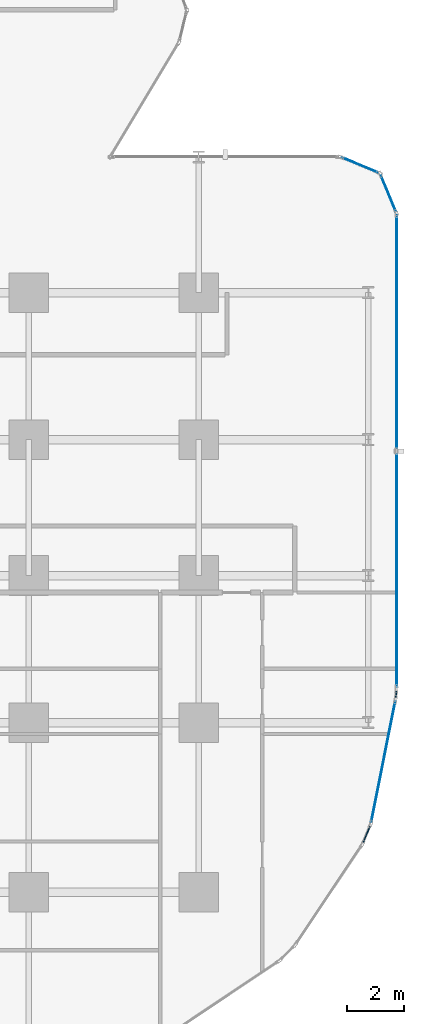
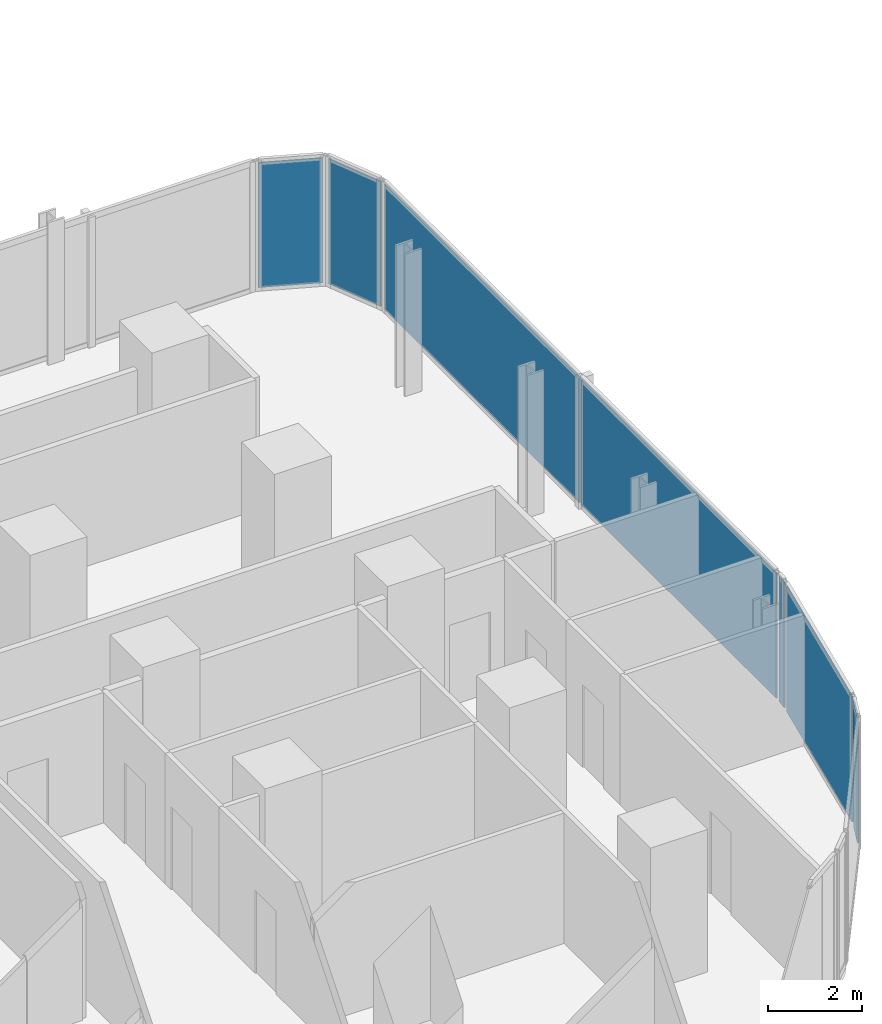
# One storey, part 25 of 34: 7 plates, 6 elements without a shape of their own.
"""IFC4 building model written with IfcOpenShell, lengths in metres."""

import ifcopenshell
import ifcopenshell.guid

model = None  # the IFC model being written
_history = None  # IfcOwnerHistory: only IFC2X3 demands one
_inside = {}  # id of a spatial element -> (the spatial element, [elements in it])
_under = {}  # id of a project, library or spatial element -> (it, [spatial elements below it])
_declared = {}  # id of a project -> (the project, [libraries it declares])
_typed = {}  # id of a type object -> (the type object, [elements of that type])
_made_of = {}  # id of a material, layer set ... -> (it, [elements and type objects made of it])


def new_model(schema):
    """Start an empty IFC model of exactly this schema.

    Asked for "IFC4X3", IfcOpenShell would pick the latest addendum, in which some entities
    have other attributes; the version numbers below select the first issue.
    IFC2X3 requires an IfcOwnerHistory on every rooted entity: one is made here for all.
    """
    global model, _history
    if schema == "IFC4X3":
        model = ifcopenshell.file(schema_version=(4, 3, 0, 0))
    else:
        model = ifcopenshell.file(schema=schema)
    _inside.clear()
    _under.clear()
    _declared.clear()
    _typed.clear()
    _made_of.clear()
    _history = None
    if model.schema == "IFC2X3":
        org = make("IfcOrganization", Name="unknown")
        user = make(
            "IfcPersonAndOrganization",
            ThePerson=make("IfcPerson", FamilyName="unknown"),
            TheOrganization=org,
        )
        app = make(
            "IfcApplication",
            ApplicationDeveloper=org,
            Version="unknown",
            ApplicationFullName="unknown",
            ApplicationIdentifier="unknown",
        )
        _history = make(
            "IfcOwnerHistory",
            OwningUser=user,
            OwningApplication=app,
            ChangeAction="ADDED",
            CreationDate=0,
        )
    return model


def make(cls, **values):
    """One entity of the class cls with the attributes given. An attribute that is None is left unset."""
    return model.create_entity(
        cls, **{name: value for name, value in values.items() if value is not None}
    )


def rooted(cls, **values):
    """An entity with a GlobalId (a new one), such as an element, a storey or a relation."""
    return make(cls, GlobalId=ifcopenshell.guid.new(), OwnerHistory=_history, **values)


def si_unit(unit_type, name, prefix=None):
    """IfcSIUnit, for example si_unit("LENGTHUNIT", "METRE", prefix="MILLI")."""
    return make("IfcSIUnit", UnitType=unit_type, Prefix=prefix, Name=name)


def assignment(units):
    """IfcUnitAssignment: the units of a project."""
    return None if units is None else make("IfcUnitAssignment", Units=units)


def point(xyz):
    """IfcCartesianPoint."""
    return None if xyz is None else make("IfcCartesianPoint", Coordinates=xyz)


def direction(xyz):
    """IfcDirection."""
    return None if xyz is None else make("IfcDirection", DirectionRatios=xyz)


def frame(location, z_axis=None, x_axis=None):
    """IfcAxis2Placement3D, a coordinate frame: its origin and axes. An axis left out is left unset."""
    return make(
        "IfcAxis2Placement3D",
        Location=point(location),
        Axis=direction(z_axis),
        RefDirection=direction(x_axis),
    )


def frame_2d(location, x_axis=None):
    """IfcAxis2Placement2D, a coordinate frame in the plane: its origin and x axis."""
    return make(
        "IfcAxis2Placement2D", Location=point(location), RefDirection=direction(x_axis)
    )


def origin():
    """The frame at (0, 0, 0) with its axes left unset."""
    return frame((0.0, 0.0, 0.0))


def origin_2d():
    """The frame at (0, 0) in the plane with its x axis left unset."""
    return frame_2d((0.0, 0.0))


def place(relative_to, where):
    """IfcLocalPlacement: puts the frame where relative to a parent placement (None: the world)."""
    return make(
        "IfcLocalPlacement", PlacementRelTo=relative_to, RelativePlacement=where
    )


def context(
    kind, dimensions, precision=None, world=None, true_north=None, identifier=None
):
    """IfcGeometricRepresentationContext, for example the 3D "Model" context."""
    return make(
        "IfcGeometricRepresentationContext",
        ContextIdentifier=identifier,
        ContextType=kind,
        CoordinateSpaceDimension=dimensions,
        Precision=precision,
        WorldCoordinateSystem=world,
        TrueNorth=true_north,
    )


def subcontext(parent, identifier, kind, view, scale=None):
    """IfcGeometricRepresentationSubContext, for example "Body" below "Model"."""
    return make(
        "IfcGeometricRepresentationSubContext",
        ContextIdentifier=identifier,
        ContextType=kind,
        ParentContext=parent,
        TargetScale=scale,
        TargetView=view,
    )


def project(units=None, contexts=None):
    """IfcProject with its units and contexts."""
    return rooted(
        "IfcProject",
        Name="project",
        RepresentationContexts=contexts,
        UnitsInContext=assignment(units),
    )


def spatial(cls, under=None, at=None, **own):
    """A site, building, storey or space (cls), placed at a placement, below another one or the project."""
    s = rooted(cls, ObjectPlacement=at, **own)
    if under is not None:
        _under.setdefault(under.id(), (under, []))[1].append(s)
    return s


def profile(cls, at=None, kind="AREA", **sizes):
    """A parametric profile (cls). Its sizes go by their IFC names, for example OverallWidth=200.0."""
    return make(cls, ProfileType=kind, Position=at, **sizes)


def rectangle(**sizes):
    """IfcRectangleProfileDef."""
    return profile("IfcRectangleProfileDef", **sizes)


def extrude(swept, where, along, depth):
    """IfcExtrudedAreaSolid: the profile swept, set in the frame where, extruded along a direction by depth."""
    return make(
        "IfcExtrudedAreaSolid",
        SweptArea=swept,
        Position=where,
        ExtrudedDirection=direction(along),
        Depth=depth,
    )


def shape(context_of_items, identifier, shape_type, items):
    """IfcShapeRepresentation: the items that make up one representation, for example the "Body"."""
    return make(
        "IfcShapeRepresentation",
        ContextOfItems=context_of_items,
        RepresentationIdentifier=identifier,
        RepresentationType=shape_type,
        Items=items,
    )


def material(Name=None, Category=None):
    """IfcMaterial."""
    return make("IfcMaterial", Name=Name, Category=Category)


def layer(
    of_material, thickness, ventilated=None, Name=None, Category=None, Priority=None
):
    """IfcMaterialLayer: one layer of a wall or slab, of a material (None: an air gap)."""
    return make(
        "IfcMaterialLayer",
        Material=of_material,
        LayerThickness=thickness,
        IsVentilated=ventilated,
        Name=Name,
        Category=Category,
        Priority=Priority,
    )


def layer_set(layers, Name=None):
    """IfcMaterialLayerSet."""
    return make("IfcMaterialLayerSet", MaterialLayers=layers, LayerSetName=Name)


def made_of(thing, what):
    """Note that an element or type object is made of a material, layer set ...; save() writes the relation."""
    if what is not None:
        _made_of.setdefault(what.id(), (what, []))[1].append(thing)
    return thing


def type_object(cls, material=None, **own):
    """A type object (cls), such as IfcWallType, which elements share."""
    return made_of(rooted(cls, **own), material)


def element(
    cls,
    number,
    at=None,
    inside=None,
    cuts=None,
    type_object=None,
    material=None,
    context=None,
    identifier="Body",
    shape_type=None,
    held_by="IfcProductDefinitionShape",
    body=None,
    shapes=None,
    **own,
):
    """One element of the class cls, such as IfcWall. Its Tag is "e" and its number.

    at: its placement. inside: the storey or other place that contains it. cuts: it is an
    opening in that element (IfcRelVoidsElement). A single representation is given by context,
    identifier, shape_type and body (its items); several are given by shapes. held_by: the class
    of the entity that holds the representations. save() writes the other relations.
    """
    e = rooted(cls, Tag="e%d" % number, ObjectPlacement=at, **own)
    if body is not None:
        shapes = [shape(context, identifier, shape_type, body)]
    if shapes is not None:
        e.Representation = make(held_by, Representations=shapes)
    if inside is not None:
        _inside.setdefault(inside.id(), (inside, []))[1].append(e)
    if cuts is not None:
        rooted(
            "IfcRelVoidsElement", RelatingBuildingElement=cuts, RelatedOpeningElement=e
        )
    if type_object is not None:
        _typed.setdefault(type_object.id(), (type_object, []))[1].append(e)
    return made_of(e, material)


def aggregate(whole, parts):
    """IfcRelAggregates: a whole, such as a stair, and the parts it consists of."""
    return rooted("IfcRelAggregates", RelatingObject=whole, RelatedObjects=parts)


def save(model, path):
    """Write the relations noted so far, then the file.

    IfcRelAggregates (storeys below a building ...), IfcRelContainedInSpatialStructure (elements
    in a storey), IfcRelDefinesByType, IfcRelAssociatesMaterial and IfcRelDeclares: one each for
    every whole, place, type object, material and project.
    """
    for whole, parts in _under.values():
        aggregate(whole, parts)
    for where, things in _inside.values():
        rooted(
            "IfcRelContainedInSpatialStructure",
            RelatedElements=things,
            RelatingStructure=where,
        )
    for kind, things in _typed.values():
        rooted("IfcRelDefinesByType", RelatedObjects=things, RelatingType=kind)
    for what, things in _made_of.values():
        rooted("IfcRelAssociatesMaterial", RelatedObjects=things, RelatingMaterial=what)
    for by, libraries in _declared.values():
        rooted("IfcRelDeclares", RelatingContext=by, RelatedDefinitions=libraries)
    model.write(path)


model = new_model("IFC4")

# Units and contexts
model_context = context("Model", 3, precision=1e-05, world=origin(), true_north=direction((0.0, 1.0)))
body_context = subcontext(model_context, "Body", "Model", "MODEL_VIEW")
ifc_project = project(units=[si_unit("LENGTHUNIT", "METRE"), si_unit("AREAUNIT", "SQUARE_METRE"), si_unit("VOLUMEUNIT", "CUBIC_METRE"), si_unit("PLANEANGLEUNIT", "RADIAN"), si_unit("MASSUNIT", "GRAM", prefix="KILO")], contexts=[model_context])

# Site, building, storey
site_placement = place(None, origin())
site = spatial("IfcSite", under=ifc_project, at=site_placement, CompositionType="ELEMENT")
building_placement = place(site_placement, origin())
building = spatial("IfcBuilding", under=site, at=building_placement, Name="Keshet Zoharim Tower", CompositionType="ELEMENT")
storey_placement = place(building_placement, frame((0.0, 0.0, 46.199951171875)))
storey = spatial("IfcBuildingStorey", under=building, at=storey_placement, Name="L10", CompositionType="ELEMENT", Elevation=46.199951171875)

# Curtain wall, plate
ifc_material_1 = material(Name="Aluminium 6063-T6", Category="aluminium")
ifc_layer_1 = layer(ifc_material_1, 0.179931640625)
ifc_layer_set_1 = layer_set([ifc_layer_1], Name="Aluminium 6063-T6")
curtain_wall_type_1 = type_object("IfcCurtainWallType", Name="CW-SYS-01", PredefinedType="NOTDEFINED", material=ifc_layer_set_1)
curtain_wall_1_placement = place(storey_placement, origin())
curtain_wall_1 = element("IfcCurtainWall", 1, at=curtain_wall_1_placement, inside=storey, type_object=curtain_wall_type_1, Name="L10 Unitised Curtain Wall 19", PredefinedType="NOTDEFINED")
ifc_material_2 = material(Name="Insulated Low-E Clear Glass", Category="glass")
ifc_layer_2 = layer(ifc_material_2, 0.035888671875)
ifc_layer_set_2 = layer_set([ifc_layer_2], Name="Insulated Low-E Clear Glass")
plate_type_1 = type_object("IfcPlateType", Name="CWP-01", PredefinedType="CURTAIN_PANEL", material=ifc_layer_set_2)
plate_1_placement = place(storey_placement, frame((68.9384765625, 8.75439453125, 0.070068359375), z_axis=(0.0, 0.0, 1.0), x_axis=(-0.383068349739, -0.923720000557, 0.0)))
plate_1 = element("IfcPlate", 2, at=plate_1_placement, type_object=plate_type_1, Name="CW-01 panel 1.1", PredefinedType="CURTAIN_PANEL", context=body_context, shape_type="SweptSolid", body=[
    extrude(rectangle(XDim=0.640625, YDim=0.035888671875, at=origin_2d()), origin(), (0.0, 0.0, 1.0), 3.2451171875),
])
aggregate(curtain_wall_1, [plate_1])

ifc_layer_3 = layer(ifc_material_1, 0.169921875)
ifc_layer_set_3 = layer_set([ifc_layer_3], Name="Aluminium 6063-T6")
curtain_wall_type_2 = type_object("IfcCurtainWallType", Name="CW-SYS-02", PredefinedType="NOTDEFINED", material=ifc_layer_set_3)
curtain_wall_2_placement = place(storey_placement, origin())
curtain_wall_2 = element("IfcCurtainWall", 3, at=curtain_wall_2_placement, inside=storey, type_object=curtain_wall_type_2, Name="L10 Unitised Curtain Wall 14", PredefinedType="NOTDEFINED")
ifc_layer_4 = layer(ifc_material_2, 0.031982421875)
ifc_layer_set_4 = layer_set([ifc_layer_4], Name="Insulated Low-E Clear Glass")
plate_type_2 = type_object("IfcPlateType", Name="CWP-02", PredefinedType="CURTAIN_PANEL", material=ifc_layer_set_4)
plate_2_placement = place(storey_placement, frame((68.70703125, 32.406982421875, 0.070068359375), z_axis=(0.0, 0.0, 1.0), x_axis=(0.92380975372, -0.382851849847, 0.0)))
plate_2 = element("IfcPlate", 4, at=plate_2_placement, type_object=plate_type_2, Name="CW-02 panel 1.1", PredefinedType="CURTAIN_PANEL", context=body_context, shape_type="SweptSolid", body=[
    extrude(rectangle(XDim=1.390625, YDim=0.031982421875, at=origin_2d()), origin(), (0.0, 0.0, 1.0), 3.2451171875),
])
aggregate(curtain_wall_2, [plate_2])

curtain_wall_3_placement = place(storey_placement, origin())
curtain_wall_3 = element("IfcCurtainWall", 5, at=curtain_wall_3_placement, inside=storey, type_object=curtain_wall_type_2, Name="L10 Unitised Curtain Wall 15", PredefinedType="NOTDEFINED")
plate_3_placement = place(storey_placement, frame((69.70703125, 31.406982421875, 0.070068359375), z_axis=(0.0, 0.0, 1.0), x_axis=(0.382851849847, -0.92380975372, 0.0)))
plate_3 = element("IfcPlate", 6, at=plate_3_placement, type_object=plate_type_2, Name="CW-02 panel 1.1", PredefinedType="CURTAIN_PANEL", context=body_context, shape_type="SweptSolid", body=[
    extrude(rectangle(XDim=1.390625, YDim=0.031982421875, at=origin_2d()), origin(), (0.0, 0.0, 1.0), 3.2451171875),
])
aggregate(curtain_wall_3, [plate_3])

# Curtain wall, plates
curtain_wall_4_placement = place(storey_placement, origin())
curtain_wall_4 = element("IfcCurtainWall", 7, at=curtain_wall_4_placement, inside=storey, type_object=curtain_wall_type_2, Name="L10 Unitised Curtain Wall 16", PredefinedType="NOTDEFINED")
plate_4_placement = place(storey_placement, frame((70.0, 26.481689453125, 0.070068359375), z_axis=(0.0, 0.0, 1.0), x_axis=(0.0, -1.0, 0.0)))
plate_4 = element("IfcPlate", 8, at=plate_4_placement, type_object=plate_type_2, Name="CW-02 panel 1.1", PredefinedType="CURTAIN_PANEL", context=body_context, shape_type="SweptSolid", body=[
    extrude(rectangle(XDim=8.29638671875, YDim=0.031982421875, at=origin_2d()), origin(), (0.0, 0.0, 1.0), 3.2451171875),
])
plate_5_placement = place(storey_placement, frame((70.0, 18.115234375, 0.070068359375), z_axis=(0.0, 0.0, 1.0), x_axis=(0.0, -1.0, 0.0)))
plate_5 = element("IfcPlate", 9, at=plate_5_placement, type_object=plate_type_2, Name="CW-02 panel 2.1", PredefinedType="CURTAIN_PANEL", context=body_context, shape_type="SweptSolid", body=[
    extrude(rectangle(XDim=8.29638671875, YDim=0.031982421875, at=origin_2d()), origin(), (0.0, 0.0, 1.0), 3.2451171875),
])
aggregate(curtain_wall_4, [plate_4, plate_5])

# Curtain wall, plate
curtain_wall_5_placement = place(storey_placement, origin())
curtain_wall_5 = element("IfcCurtainWall", 10, at=curtain_wall_5_placement, inside=storey, type_object=curtain_wall_type_2, Name="L10 Unitised Curtain Wall 17", PredefinedType="NOTDEFINED")
plate_6_placement = place(storey_placement, frame((69.98095703125, 13.701904296875, 0.070068359375), z_axis=(0.0, 0.0, 1.0), x_axis=(-0.096976648633, -0.995286657009, 0.0)))
plate_6 = element("IfcPlate", 11, at=plate_6_placement, type_object=plate_type_2, Name="CW-02 panel 1.1", PredefinedType="CURTAIN_PANEL", context=body_context, shape_type="SweptSolid", body=[
    extrude(rectangle(XDim=0.251953125, YDim=0.031982421875, at=origin_2d()), origin(), (0.0, 0.0, 1.0), 3.2451171875),
])
aggregate(curtain_wall_5, [plate_6])

curtain_wall_6_placement = place(storey_placement, origin())
curtain_wall_6 = element("IfcCurtainWall", 12, at=curtain_wall_6_placement, inside=storey, type_object=curtain_wall_type_2, Name="L10 Unitised Curtain Wall 18", PredefinedType="NOTDEFINED")
plate_7_placement = place(storey_placement, frame((69.52490234375, 11.31103515625, 0.070068359375), z_axis=(0.0, 0.0, 1.0), x_axis=(-0.195171279072, -0.98076917357, 0.0)))
plate_7 = element("IfcPlate", 13, at=plate_7_placement, type_object=plate_type_2, Name="CW-02 panel 1.1", PredefinedType="CURTAIN_PANEL", context=body_context, shape_type="SweptSolid", body=[
    extrude(rectangle(XDim=4.338134765625, YDim=0.031982421875, at=origin_2d()), origin(), (0.0, 0.0, 1.0), 3.2451171875),
])
aggregate(curtain_wall_6, [plate_7])

save(model, "model.ifc")
